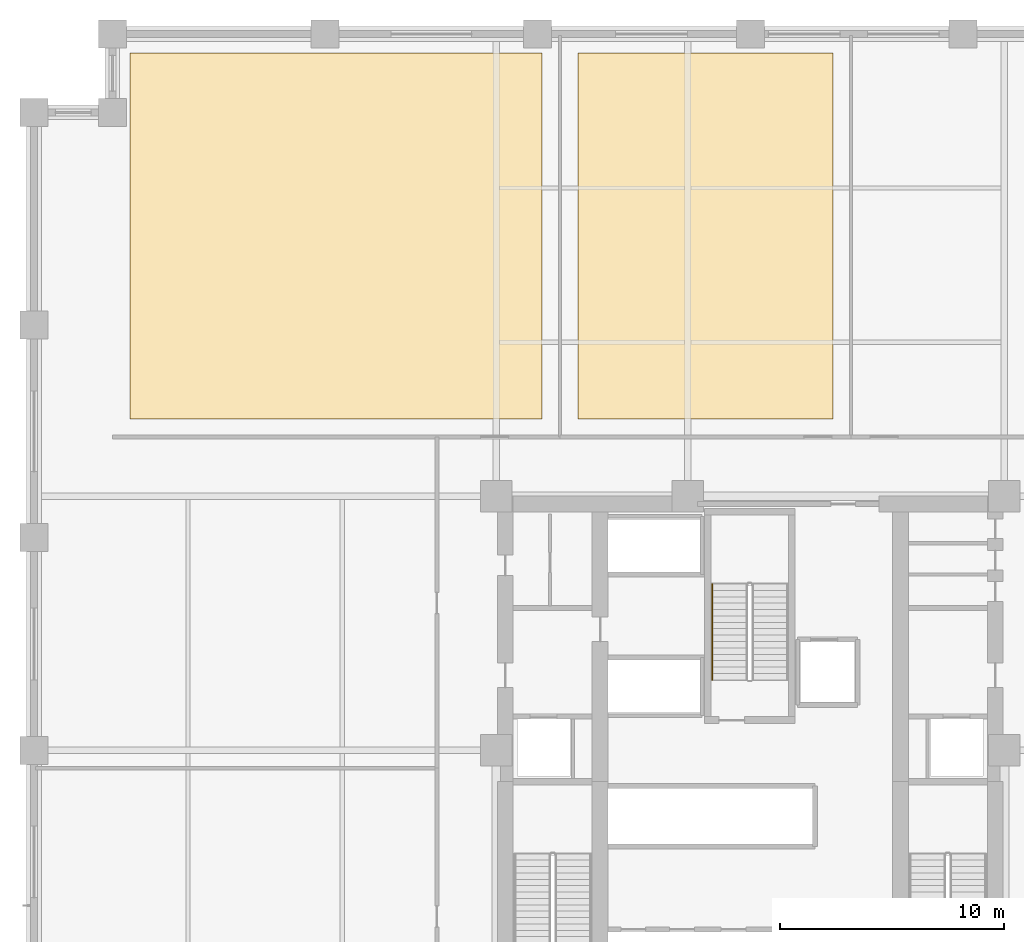
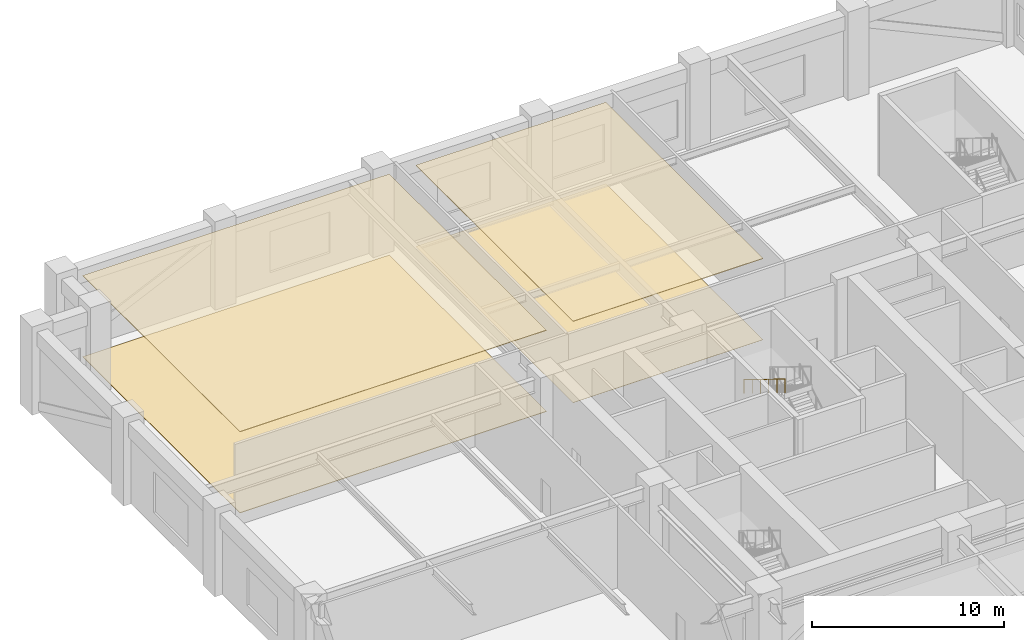
# One storey, part 13 of 14: 4 coverings, 1 railing.
"""IFC4 building model written with IfcOpenShell, lengths in metres."""

import ifcopenshell
import ifcopenshell.guid

model = None  # the IFC model being written
_history = None  # IfcOwnerHistory: only IFC2X3 demands one
_inside = {}  # id of a spatial element -> (the spatial element, [elements in it])
_under = {}  # id of a project, library or spatial element -> (it, [spatial elements below it])
_declared = {}  # id of a project -> (the project, [libraries it declares])
_typed = {}  # id of a type object -> (the type object, [elements of that type])
_made_of = {}  # id of a material, layer set ... -> (it, [elements and type objects made of it])


def new_model(schema):
    """Start an empty IFC model of exactly this schema.

    Asked for "IFC4X3", IfcOpenShell would pick the latest addendum, in which some entities
    have other attributes; the version numbers below select the first issue.
    IFC2X3 requires an IfcOwnerHistory on every rooted entity: one is made here for all.
    """
    global model, _history
    if schema == "IFC4X3":
        model = ifcopenshell.file(schema_version=(4, 3, 0, 0))
    else:
        model = ifcopenshell.file(schema=schema)
    _inside.clear()
    _under.clear()
    _declared.clear()
    _typed.clear()
    _made_of.clear()
    _history = None
    if model.schema == "IFC2X3":
        org = make("IfcOrganization", Name="unknown")
        user = make(
            "IfcPersonAndOrganization",
            ThePerson=make("IfcPerson", FamilyName="unknown"),
            TheOrganization=org,
        )
        app = make(
            "IfcApplication",
            ApplicationDeveloper=org,
            Version="unknown",
            ApplicationFullName="unknown",
            ApplicationIdentifier="unknown",
        )
        _history = make(
            "IfcOwnerHistory",
            OwningUser=user,
            OwningApplication=app,
            ChangeAction="ADDED",
            CreationDate=0,
        )
    return model


def make(cls, **values):
    """One entity of the class cls with the attributes given. An attribute that is None is left unset."""
    return model.create_entity(
        cls, **{name: value for name, value in values.items() if value is not None}
    )


def rooted(cls, **values):
    """An entity with a GlobalId (a new one), such as an element, a storey or a relation."""
    return make(cls, GlobalId=ifcopenshell.guid.new(), OwnerHistory=_history, **values)


def si_unit(unit_type, name, prefix=None):
    """IfcSIUnit, for example si_unit("LENGTHUNIT", "METRE", prefix="MILLI")."""
    return make("IfcSIUnit", UnitType=unit_type, Prefix=prefix, Name=name)


def assignment(units):
    """IfcUnitAssignment: the units of a project."""
    return None if units is None else make("IfcUnitAssignment", Units=units)


def point(xyz):
    """IfcCartesianPoint."""
    return None if xyz is None else make("IfcCartesianPoint", Coordinates=xyz)


def direction(xyz):
    """IfcDirection."""
    return None if xyz is None else make("IfcDirection", DirectionRatios=xyz)


def frame(location, z_axis=None, x_axis=None):
    """IfcAxis2Placement3D, a coordinate frame: its origin and axes. An axis left out is left unset."""
    return make(
        "IfcAxis2Placement3D",
        Location=point(location),
        Axis=direction(z_axis),
        RefDirection=direction(x_axis),
    )


def frame_2d(location, x_axis=None):
    """IfcAxis2Placement2D, a coordinate frame in the plane: its origin and x axis."""
    return make(
        "IfcAxis2Placement2D", Location=point(location), RefDirection=direction(x_axis)
    )


def origin():
    """The frame at (0, 0, 0) with its axes left unset."""
    return frame((0.0, 0.0, 0.0))


def origin_2d():
    """The frame at (0, 0) in the plane with its x axis left unset."""
    return frame_2d((0.0, 0.0))


def place(relative_to, where):
    """IfcLocalPlacement: puts the frame where relative to a parent placement (None: the world)."""
    return make(
        "IfcLocalPlacement", PlacementRelTo=relative_to, RelativePlacement=where
    )


def context(
    kind, dimensions, precision=None, world=None, true_north=None, identifier=None
):
    """IfcGeometricRepresentationContext, for example the 3D "Model" context."""
    return make(
        "IfcGeometricRepresentationContext",
        ContextIdentifier=identifier,
        ContextType=kind,
        CoordinateSpaceDimension=dimensions,
        Precision=precision,
        WorldCoordinateSystem=world,
        TrueNorth=true_north,
    )


def subcontext(parent, identifier, kind, view, scale=None):
    """IfcGeometricRepresentationSubContext, for example "Body" below "Model"."""
    return make(
        "IfcGeometricRepresentationSubContext",
        ContextIdentifier=identifier,
        ContextType=kind,
        ParentContext=parent,
        TargetScale=scale,
        TargetView=view,
    )


def project(units=None, contexts=None):
    """IfcProject with its units and contexts."""
    return rooted(
        "IfcProject",
        Name="project",
        RepresentationContexts=contexts,
        UnitsInContext=assignment(units),
    )


def spatial(cls, under=None, at=None, **own):
    """A site, building, storey or space (cls), placed at a placement, below another one or the project."""
    s = rooted(cls, ObjectPlacement=at, **own)
    if under is not None:
        _under.setdefault(under.id(), (under, []))[1].append(s)
    return s


def polyline(points):
    """IfcPolyline through the points."""
    return make("IfcPolyline", Points=[point(p) for p in points])


def profile(cls, at=None, kind="AREA", **sizes):
    """A parametric profile (cls). Its sizes go by their IFC names, for example OverallWidth=200.0."""
    return make(cls, ProfileType=kind, Position=at, **sizes)


def circle(**sizes):
    """IfcCircleProfileDef."""
    return profile("IfcCircleProfileDef", **sizes)


def outline(outer, holes=None, kind="AREA"):
    """IfcArbitraryClosedProfileDef: a profile drawn as a closed curve; with holes, ...WithVoids."""
    if holes is None:
        return make("IfcArbitraryClosedProfileDef", ProfileType=kind, OuterCurve=outer)
    return make(
        "IfcArbitraryProfileDefWithVoids",
        ProfileType=kind,
        OuterCurve=outer,
        InnerCurves=holes,
    )


def extrude(swept, where, along, depth):
    """IfcExtrudedAreaSolid: the profile swept, set in the frame where, extruded along a direction by depth."""
    return make(
        "IfcExtrudedAreaSolid",
        SweptArea=swept,
        Position=where,
        ExtrudedDirection=direction(along),
        Depth=depth,
    )


def shape(context_of_items, identifier, shape_type, items):
    """IfcShapeRepresentation: the items that make up one representation, for example the "Body"."""
    return make(
        "IfcShapeRepresentation",
        ContextOfItems=context_of_items,
        RepresentationIdentifier=identifier,
        RepresentationType=shape_type,
        Items=items,
    )


def material(Name=None, Category=None):
    """IfcMaterial."""
    return make("IfcMaterial", Name=Name, Category=Category)


def layer(
    of_material, thickness, ventilated=None, Name=None, Category=None, Priority=None
):
    """IfcMaterialLayer: one layer of a wall or slab, of a material (None: an air gap)."""
    return make(
        "IfcMaterialLayer",
        Material=of_material,
        LayerThickness=thickness,
        IsVentilated=ventilated,
        Name=Name,
        Category=Category,
        Priority=Priority,
    )


def layer_set(layers, Name=None):
    """IfcMaterialLayerSet."""
    return make("IfcMaterialLayerSet", MaterialLayers=layers, LayerSetName=Name)


def made_of(thing, what):
    """Note that an element or type object is made of a material, layer set ...; save() writes the relation."""
    if what is not None:
        _made_of.setdefault(what.id(), (what, []))[1].append(thing)
    return thing


def type_object(cls, material=None, **own):
    """A type object (cls), such as IfcWallType, which elements share."""
    return made_of(rooted(cls, **own), material)


def element(
    cls,
    number,
    at=None,
    inside=None,
    cuts=None,
    type_object=None,
    material=None,
    context=None,
    identifier="Body",
    shape_type=None,
    held_by="IfcProductDefinitionShape",
    body=None,
    shapes=None,
    **own,
):
    """One element of the class cls, such as IfcWall. Its Tag is "e" and its number.

    at: its placement. inside: the storey or other place that contains it. cuts: it is an
    opening in that element (IfcRelVoidsElement). A single representation is given by context,
    identifier, shape_type and body (its items); several are given by shapes. held_by: the class
    of the entity that holds the representations. save() writes the other relations.
    """
    e = rooted(cls, Tag="e%d" % number, ObjectPlacement=at, **own)
    if body is not None:
        shapes = [shape(context, identifier, shape_type, body)]
    if shapes is not None:
        e.Representation = make(held_by, Representations=shapes)
    if inside is not None:
        _inside.setdefault(inside.id(), (inside, []))[1].append(e)
    if cuts is not None:
        rooted(
            "IfcRelVoidsElement", RelatingBuildingElement=cuts, RelatedOpeningElement=e
        )
    if type_object is not None:
        _typed.setdefault(type_object.id(), (type_object, []))[1].append(e)
    return made_of(e, material)


def aggregate(whole, parts):
    """IfcRelAggregates: a whole, such as a stair, and the parts it consists of."""
    return rooted("IfcRelAggregates", RelatingObject=whole, RelatedObjects=parts)


def save(model, path):
    """Write the relations noted so far, then the file.

    IfcRelAggregates (storeys below a building ...), IfcRelContainedInSpatialStructure (elements
    in a storey), IfcRelDefinesByType, IfcRelAssociatesMaterial and IfcRelDeclares: one each for
    every whole, place, type object, material and project.
    """
    for whole, parts in _under.values():
        aggregate(whole, parts)
    for where, things in _inside.values():
        rooted(
            "IfcRelContainedInSpatialStructure",
            RelatedElements=things,
            RelatingStructure=where,
        )
    for kind, things in _typed.values():
        rooted("IfcRelDefinesByType", RelatedObjects=things, RelatingType=kind)
    for what, things in _made_of.values():
        rooted("IfcRelAssociatesMaterial", RelatedObjects=things, RelatingMaterial=what)
    for by, libraries in _declared.values():
        rooted("IfcRelDeclares", RelatingContext=by, RelatedDefinitions=libraries)
    model.write(path)


model = new_model("IFC4")

# Units and contexts
model_context = context("Model", 3, precision=1e-05, world=origin(), true_north=direction((0.0, 1.0)))
body_context = subcontext(model_context, "Body", "Model", "MODEL_VIEW")
ifc_project = project(units=[si_unit("LENGTHUNIT", "METRE"), si_unit("AREAUNIT", "SQUARE_METRE"), si_unit("VOLUMEUNIT", "CUBIC_METRE"), si_unit("PLANEANGLEUNIT", "RADIAN"), si_unit("MASSUNIT", "GRAM", prefix="KILO")], contexts=[model_context])

# Site, building, storey
site_placement = place(None, origin())
site = spatial("IfcSite", under=ifc_project, at=site_placement, CompositionType="ELEMENT")
building_placement = place(site_placement, origin())
building = spatial("IfcBuilding", under=site, at=building_placement, Name="Nhamokura Convention Tower", CompositionType="ELEMENT")
storey_placement = place(building_placement, frame((0.0, 0.0, 23.800048828125)))
storey = spatial("IfcBuildingStorey", under=building, at=storey_placement, Name="L04", CompositionType="ELEMENT", Elevation=23.800048828125)

# Coverings
ifc_material_1 = material(Name="Anodised bronze aluminium ceiling baffle", Category="aluminium")
ifc_layer_1 = layer(ifc_material_1, 0.0400390625)
ifc_layer_set_1 = layer_set([ifc_layer_1], Name="BronzeBaffleCeiling_40")
covering_type_1 = type_object("IfcCoveringType", Name="BronzeBaffleCeiling_40", PredefinedType="CEILING", material=ifc_layer_set_1)
covering_1_placement = place(storey_placement, frame((0.0, 0.0, 5.139892578125)))
element("IfcCovering", 1, at=covering_1_placement, inside=storey, type_object=covering_type_1, Name="L04 Suspended Ceiling 05", PredefinedType="CEILING", context=body_context, shape_type="SweptSolid", body=[
    extrude(outline(polyline([(4.300048828125, 46.800048828125), (22.699951171875, 46.800048828125), (22.699951171875, 63.139892578125), (4.300048828125, 63.139892578125), (4.300048828125, 46.800048828125)])), origin(), (0.0, 0.0, 1.0), 0.0400390625),
])
covering_2_placement = place(storey_placement, frame((0.0, 0.0, 5.139892578125)))
element("IfcCovering", 2, at=covering_2_placement, inside=storey, type_object=covering_type_1, Name="L04 Suspended Ceiling 06", PredefinedType="CEILING", context=body_context, shape_type="SweptSolid", body=[
    extrude(outline(polyline([(24.300048828125, 46.800048828125), (35.699951171875, 46.800048828125), (35.699951171875, 63.139892578125), (24.300048828125, 63.139892578125), (24.300048828125, 46.800048828125)])), origin(), (0.0, 0.0, 1.0), 0.0400390625),
])
ifc_material_2 = material(Name="Polished Sabana granite terrazzo", Category="masonry")
ifc_layer_2 = layer(ifc_material_2, 0.030029296875)
ifc_layer_set_2 = layer_set([ifc_layer_2], Name="SabanaTerrazzoFlooring_30")
covering_type_2 = type_object("IfcCoveringType", Name="SabanaTerrazzoFlooring_30", PredefinedType="FLOORING", material=ifc_layer_set_2)
covering_3_placement = place(storey_placement, origin())
element("IfcCovering", 3, at=covering_3_placement, inside=storey, type_object=covering_type_2, Name="L04 Finish Flooring 05", PredefinedType="FLOORING", context=body_context, shape_type="SweptSolid", body=[
    extrude(outline(polyline([(4.300048828125, 46.800048828125), (22.699951171875, 46.800048828125), (22.699951171875, 63.139892578125), (4.300048828125, 63.139892578125), (4.300048828125, 46.800048828125)])), origin(), (0.0, 0.0, 1.0), 0.030029296875),
])

# Railing
ifc_material_3 = material(Name="Anodised bronze stainless steel", Category="steel")
railing_type = type_object("IfcRailingType", Name="StairWallHandrail_900", PredefinedType="HANDRAIL", material=ifc_material_3)
railing_placement = place(storey_placement, frame((30.300048828125, 39.425048828125, 2.974853515625)))
element("IfcRailing", 4, at=railing_placement, inside=storey, type_object=railing_type, Name="L04 ST-03 stair handrail 2", PredefinedType="HANDRAIL", context=body_context, shape_type="SweptSolid", body=[
    extrude(circle(Radius=0.02392578125, at=origin_2d()), frame((0.0, 0.0, 0.8759765625), z_axis=(0.0, -0.852179220489, 0.52325001306), x_axis=(1.0, 0.0, 0.0)), (0.0, 0.0, 1.0), 5.0166015625),
    extrude(circle(Radius=0.02099609375, at=origin_2d()), origin(), (0.0, 0.0, 1.0), 0.851806640625),
    extrude(circle(Radius=0.02099609375, at=origin_2d()), frame((0.0, -0.85498046875, 0.52490234375)), (0.0, 0.0, 1.0), 0.851806640625),
    extrude(circle(Radius=0.02099609375, at=origin_2d()), frame((0.0, -1.7099609375, 1.050048828125)), (0.0, 0.0, 1.0), 0.851806640625),
    extrude(circle(Radius=0.02099609375, at=origin_2d()), frame((0.0, -2.565185546875, 1.574951171875)), (0.0, 0.0, 1.0), 0.851806640625),
    extrude(circle(Radius=0.02099609375, at=origin_2d()), frame((0.0, -3.420166015625, 2.10009765625)), (0.0, 0.0, 1.0), 0.851806640625),
    extrude(circle(Radius=0.02099609375, at=origin_2d()), frame((0.0, -4.275146484375, 2.625)), (0.0, 0.0, 1.0), 0.851806640625),
])

# Covering
ifc_material_4 = material(Name="Acoustic woven hospitality carpet", Category="wood")
ifc_layer_3 = layer(ifc_material_4, 0.014892578125)
ifc_layer_set_3 = layer_set([ifc_layer_3], Name="WovenCarpetFlooring_15")
covering_type_3 = type_object("IfcCoveringType", Name="WovenCarpetFlooring_15", PredefinedType="FLOORING", material=ifc_layer_set_3)
covering_4_placement = place(storey_placement, origin())
element("IfcCovering", 5, at=covering_4_placement, inside=storey, type_object=covering_type_3, Name="L04 Finish Flooring 06", PredefinedType="FLOORING", context=body_context, shape_type="SweptSolid", body=[
    extrude(outline(polyline([(24.300048828125, 46.800048828125), (35.699951171875, 46.800048828125), (35.699951171875, 63.139892578125), (24.300048828125, 63.139892578125), (24.300048828125, 46.800048828125)])), origin(), (0.0, 0.0, 1.0), 0.014892578125),
])

save(model, "model.ifc")
